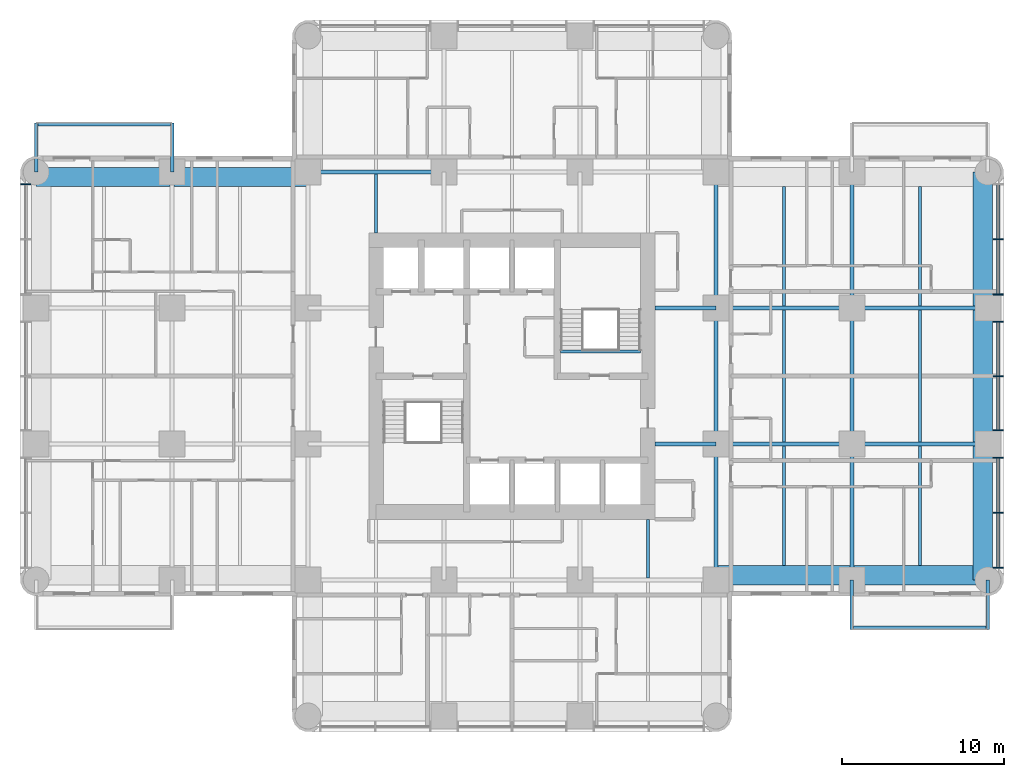
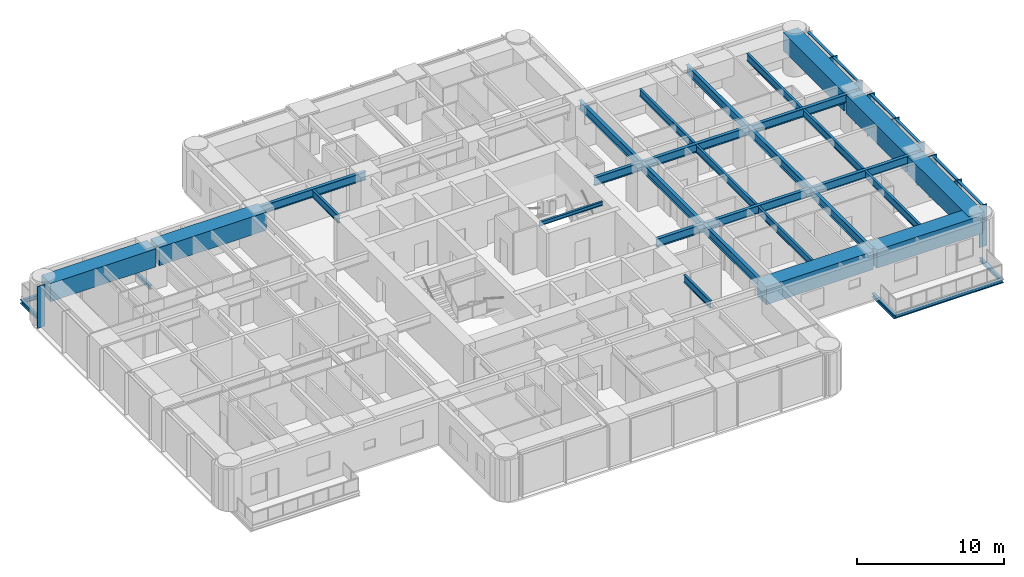
# One storey, part 3 of 14: 35 beams, 15 members, 2 elements without a shape of their own.
"""IFC4 building model written with IfcOpenShell, lengths in metres."""

from ifc_helpers import new_model, si_unit, direction, frame, origin, origin_2d, place, context, subcontext, project, spatial, rectangle, i_section, extrude, material, material_profile, profile_set, type_object, element, aggregate, save


model = new_model("IFC4")

# Units and contexts
model_context = context("Model", 3, precision=1e-05, world=origin(), true_north=direction((0.0, 1.0)))
body_context = subcontext(model_context, "Body", "Model", "MODEL_VIEW")
ifc_project = project(units=[si_unit("LENGTHUNIT", "METRE"), si_unit("AREAUNIT", "SQUARE_METRE"), si_unit("VOLUMEUNIT", "CUBIC_METRE"), si_unit("PLANEANGLEUNIT", "RADIAN"), si_unit("MASSUNIT", "GRAM", prefix="KILO")], contexts=[model_context])

# Site, building, storey
site_placement = place(None, origin())
site = spatial("IfcSite", under=ifc_project, at=site_placement, CompositionType="ELEMENT")
building_placement = place(site_placement, origin())
building = spatial("IfcBuilding", under=site, at=building_placement, Name="Torre Alcanfor", CompositionType="ELEMENT")
storey_placement = place(building_placement, frame((0.0, 0.0, 162.89990234375)))
storey = spatial("IfcBuildingStorey", under=building, at=storey_placement, Name="L42", CompositionType="ELEMENT", Elevation=162.89990234375)

# Beams
ifc_material_1 = material(Name="Steel ASTM A992 Grade 50", Category="steel")
ifc_material_profile_1 = material_profile(ifc_material_1, i_section(OverallWidth=0.205322265625, OverallDepth=0.309814453125, WebThickness=0.00927734375, FlangeThickness=0.016357421875, at=origin_2d()), Name="W12x50")
ifc_profile_set_1 = profile_set([ifc_material_profile_1], Name="Steel ASTM A992 Grade 50")
beam_type_1 = type_object("IfcBeamType", Name="Balcony cantilever beam W12x50", PredefinedType="BEAM", material=ifc_profile_set_1)
for number, where, z_axis, x_axis, name in (
    (1, (50.39990234375, 16.800048828125, -0.354736328125), (0.0, -1.0, 0.0), (1.0, 0.0, 0.0), "Balcony cantilever beam L42-E2 1"),
    (2, (58.800048828125, 16.800048828125, -0.354736328125), (0.0, -1.0, 0.0), (1.0, 0.0, 0.0), "Balcony cantilever beam L42-E2 2"),
    (3, (8.39990234375, 42.0, -0.354736328125), (0.0, 1.0, 0.0), (-1.0, 0.0, 0.0), "Balcony cantilever beam L42-W2 1"),
    (4, (0.0, 42.0, -0.354736328125), (0.0, 1.0, 0.0), (-1.0, 0.0, 0.0), "Balcony cantilever beam L42-W2 2"),
):
    element("IfcBeam", number, at=place(storey_placement, frame(where, z_axis=z_axis, x_axis=x_axis)), inside=storey, type_object=beam_type_1, Name=name, PredefinedType="BEAM", context=body_context, shape_type="SweptSolid", body=[
        extrude(i_section(OverallWidth=0.205322265625, OverallDepth=0.309814453125, WebThickness=0.00927734375, FlangeThickness=0.016357421875, at=origin_2d()), origin(), (0.0, 0.0, 1.0), 3.050048828125),
    ])
ifc_material_2 = material(Name="Steel ASTM A992 Grade 50", Category="steel")
ifc_material_profile_2 = material_profile(ifc_material_2, i_section(OverallWidth=0.203369140625, OverallDepth=0.30224609375, WebThickness=0.007568359375, FlangeThickness=0.01318359375, at=origin_2d()), Name="W12x40")
ifc_profile_set_2 = profile_set([ifc_material_profile_2], Name="Steel ASTM A992 Grade 50")
beam_type_2 = type_object("IfcBeamType", Name="Balcony edge trimmer W12x40", PredefinedType="BEAM", material=ifc_profile_set_2)
beam_1_placement = place(storey_placement, frame((50.39990234375, 13.851806640625, -0.35107421875), z_axis=(1.0, 0.0, 0.0), x_axis=(0.0, 1.0, 0.0)))
element("IfcBeam", 5, at=beam_1_placement, inside=storey, type_object=beam_type_2, Name="Balcony edge trimmer L42-E2", PredefinedType="BEAM", context=body_context, shape_type="SweptSolid", body=[
    extrude(i_section(OverallWidth=0.203369140625, OverallDepth=0.30224609375, WebThickness=0.007568359375, FlangeThickness=0.01318359375, at=origin_2d()), origin(), (0.0, 0.0, 1.0), 8.400146484375),
])
beam_2_placement = place(storey_placement, frame((8.39990234375, 44.9482421875, -0.35107421875), z_axis=(-1.0, 0.0, 0.0), x_axis=(0.0, -1.0, 0.0)))
element("IfcBeam", 6, at=beam_2_placement, inside=storey, type_object=beam_type_2, Name="Balcony edge trimmer L42-W2", PredefinedType="BEAM", context=body_context, shape_type="SweptSolid", body=[
    extrude(i_section(OverallWidth=0.203369140625, OverallDepth=0.30224609375, WebThickness=0.007568359375, FlangeThickness=0.01318359375, at=origin_2d()), origin(), (0.0, 0.0, 1.0), 8.39990234375),
])

# Curtain wall, member
ifc_material_3 = material(Name="Aluminium and glass", Category="aluminium")
curtain_wall_type = type_object("IfcCurtainWallType", Name="CW-A unitised apartment glazing with vertical FIN", PredefinedType="NOTDEFINED", material=ifc_material_3)
curtain_wall_1_placement = place(storey_placement, origin())
curtain_wall_1 = element("IfcCurtainWall", 7, at=curtain_wall_1_placement, inside=storey, type_object=curtain_wall_type, Name="Curtain wall CW-A L42 2", PredefinedType="NOTDEFINED")
ifc_material_4 = material(Name="Bronze anodised aluminium", Category="aluminium")
ifc_material_profile_3 = material_profile(ifc_material_4, rectangle(XDim=0.60009765625, YDim=0.06494140625, at=origin_2d()), Name="CW-A mullion 65x600")
ifc_profile_set_3 = profile_set([ifc_material_profile_3], Name="Bronze anodised aluminium")
member_type_1 = type_object("IfcMemberType", Name="CW-A mullion with vertical FIN 65x600", PredefinedType="MULLION", material=ifc_profile_set_3)
member_1_placement = place(storey_placement, frame((-0.64990234375, 41.24267578125, 0.0), z_axis=(0.0, 0.0, 1.0), x_axis=(1.0, 0.0, 0.0)))
member_1 = element("IfcMember", 8, at=member_1_placement, type_object=member_type_1, Name="CW-A mullion 1.1", PredefinedType="MULLION", context=body_context, shape_type="SweptSolid", body=[
    extrude(rectangle(XDim=0.60009765625, YDim=0.06494140625, at=origin_2d()), origin(), (0.0, 0.0, 1.0), 3.4501953125),
])
aggregate(curtain_wall_1, [member_1])

# Curtain wall, members
curtain_wall_2_placement = place(storey_placement, origin())
curtain_wall_2 = element("IfcCurtainWall", 9, at=curtain_wall_2_placement, inside=storey, type_object=curtain_wall_type, Name="Curtain wall CW-A L42 8", PredefinedType="NOTDEFINED")
member_2_placement = place(storey_placement, frame((59.449951171875, 17.557373046875, 0.0), z_axis=(0.0, 0.0, 1.0), x_axis=(-1.0, 0.0, 0.0)))
member_2 = element("IfcMember", 10, at=member_2_placement, type_object=member_type_1, Name="CW-A mullion 1.1", PredefinedType="MULLION", context=body_context, shape_type="SweptSolid", body=[
    extrude(rectangle(XDim=0.60009765625, YDim=0.06494140625, at=origin_2d()), origin(), (0.0, 0.0, 1.0), 3.4501953125),
])
member_3_placement = place(storey_placement, frame((59.449951171875, 20.9599609375, 0.0), z_axis=(0.0, 0.0, 1.0), x_axis=(-1.0, 0.0, 0.0)))
member_3 = element("IfcMember", 11, at=member_3_placement, type_object=member_type_1, Name="CW-A mullion 1.2", PredefinedType="MULLION", context=body_context, shape_type="SweptSolid", body=[
    extrude(rectangle(XDim=0.60009765625, YDim=0.06494140625, at=origin_2d()), origin(), (0.0, 0.0, 1.0), 3.4501953125),
])
member_4_placement = place(storey_placement, frame((59.449951171875, 24.362548828125, 0.0), z_axis=(0.0, 0.0, 1.0), x_axis=(-1.0, 0.0, 0.0)))
member_4 = element("IfcMember", 12, at=member_4_placement, type_object=member_type_1, Name="CW-A mullion 1.3", PredefinedType="MULLION", context=body_context, shape_type="SweptSolid", body=[
    extrude(rectangle(XDim=0.60009765625, YDim=0.06494140625, at=origin_2d()), origin(), (0.0, 0.0, 1.0), 3.4501953125),
])
member_5_placement = place(storey_placement, frame((59.449951171875, 26.03759765625, 0.0), z_axis=(0.0, 0.0, 1.0), x_axis=(-1.0, 0.0, 0.0)))
member_5 = element("IfcMember", 13, at=member_5_placement, type_object=member_type_1, Name="CW-A mullion 2.1", PredefinedType="MULLION", context=body_context, shape_type="SweptSolid", body=[
    extrude(rectangle(XDim=0.60009765625, YDim=0.06494140625, at=origin_2d()), origin(), (0.0, 0.0, 1.0), 3.4501953125),
])
member_6_placement = place(storey_placement, frame((59.449951171875, 29.39990234375, 0.0), z_axis=(0.0, 0.0, 1.0), x_axis=(-1.0, 0.0, 0.0)))
member_6 = element("IfcMember", 14, at=member_6_placement, type_object=member_type_1, Name="CW-A mullion 2.2", PredefinedType="MULLION", context=body_context, shape_type="SweptSolid", body=[
    extrude(rectangle(XDim=0.60009765625, YDim=0.06494140625, at=origin_2d()), origin(), (0.0, 0.0, 1.0), 3.4501953125),
])
member_7_placement = place(storey_placement, frame((59.449951171875, 32.762451171875, 0.0), z_axis=(0.0, 0.0, 1.0), x_axis=(-1.0, 0.0, 0.0)))
member_7 = element("IfcMember", 15, at=member_7_placement, type_object=member_type_1, Name="CW-A mullion 2.3", PredefinedType="MULLION", context=body_context, shape_type="SweptSolid", body=[
    extrude(rectangle(XDim=0.60009765625, YDim=0.06494140625, at=origin_2d()), origin(), (0.0, 0.0, 1.0), 3.4501953125),
])
member_8_placement = place(storey_placement, frame((59.449951171875, 34.4375, 0.0), z_axis=(0.0, 0.0, 1.0), x_axis=(-1.0, 0.0, 0.0)))
member_8 = element("IfcMember", 16, at=member_8_placement, type_object=member_type_1, Name="CW-A mullion 3.1", PredefinedType="MULLION", context=body_context, shape_type="SweptSolid", body=[
    extrude(rectangle(XDim=0.60009765625, YDim=0.06494140625, at=origin_2d()), origin(), (0.0, 0.0, 1.0), 3.4501953125),
])
member_9_placement = place(storey_placement, frame((59.449951171875, 37.840087890625, 0.0), z_axis=(0.0, 0.0, 1.0), x_axis=(-1.0, 0.0, 0.0)))
member_9 = element("IfcMember", 17, at=member_9_placement, type_object=member_type_1, Name="CW-A mullion 3.2", PredefinedType="MULLION", context=body_context, shape_type="SweptSolid", body=[
    extrude(rectangle(XDim=0.60009765625, YDim=0.06494140625, at=origin_2d()), origin(), (0.0, 0.0, 1.0), 3.4501953125),
])
ifc_material_5 = material(Name="Extruded aluminium", Category="aluminium")
ifc_material_profile_4 = material_profile(ifc_material_5, rectangle(XDim=0.199951171875, YDim=0.06494140625, at=origin_2d()), Name="CW-A transom 200x65")
ifc_profile_set_4 = profile_set([ifc_material_profile_4], Name="Extruded aluminium")
member_type_2 = type_object("IfcMemberType", Name="CW-A transom 65x200", PredefinedType="USERDEFINED", material=ifc_profile_set_4)
member_10_placement = place(storey_placement, frame((59.449951171875, 17.58984375, 3.41748046875), z_axis=(0.0, 1.0, 0.0), x_axis=(-1.0, 0.0, 0.0)))
member_10 = element("IfcMember", 18, at=member_10_placement, type_object=member_type_2, Name="CW-A transom 1.1.2", ObjectType="TRANSOM", PredefinedType="USERDEFINED", context=body_context, shape_type="SweptSolid", body=[
    extrude(rectangle(XDim=0.199951171875, YDim=0.06494140625, at=origin_2d()), origin(), (0.0, 0.0, 1.0), 3.337646484375),
])
member_11_placement = place(storey_placement, frame((59.449951171875, 20.992431640625, 3.41748046875), z_axis=(0.0, 1.0, 0.0), x_axis=(-1.0, 0.0, 0.0)))
member_11 = element("IfcMember", 19, at=member_11_placement, type_object=member_type_2, Name="CW-A transom 1.2.2", ObjectType="TRANSOM", PredefinedType="USERDEFINED", context=body_context, shape_type="SweptSolid", body=[
    extrude(rectangle(XDim=0.199951171875, YDim=0.06494140625, at=origin_2d()), origin(), (0.0, 0.0, 1.0), 3.337646484375),
])
member_12_placement = place(storey_placement, frame((59.449951171875, 26.070068359375, 3.41748046875), z_axis=(0.0, 1.0, 0.0), x_axis=(-1.0, 0.0, 0.0)))
member_12 = element("IfcMember", 20, at=member_12_placement, type_object=member_type_2, Name="CW-A transom 2.1.2", ObjectType="TRANSOM", PredefinedType="USERDEFINED", context=body_context, shape_type="SweptSolid", body=[
    extrude(rectangle(XDim=0.199951171875, YDim=0.06494140625, at=origin_2d()), origin(), (0.0, 0.0, 1.0), 3.29736328125),
])
member_13_placement = place(storey_placement, frame((59.449951171875, 29.4326171875, 3.41748046875), z_axis=(0.0, 1.0, 0.0), x_axis=(-1.0, 0.0, 0.0)))
member_13 = element("IfcMember", 21, at=member_13_placement, type_object=member_type_2, Name="CW-A transom 2.2.2", ObjectType="TRANSOM", PredefinedType="USERDEFINED", context=body_context, shape_type="SweptSolid", body=[
    extrude(rectangle(XDim=0.199951171875, YDim=0.06494140625, at=origin_2d()), origin(), (0.0, 0.0, 1.0), 3.29736328125),
])
member_14_placement = place(storey_placement, frame((59.449951171875, 34.469970703125, 3.41748046875), z_axis=(0.0, 1.0, 0.0), x_axis=(-1.0, 0.0, 0.0)))
member_14 = element("IfcMember", 22, at=member_14_placement, type_object=member_type_2, Name="CW-A transom 3.1.2", ObjectType="TRANSOM", PredefinedType="USERDEFINED", context=body_context, shape_type="SweptSolid", body=[
    extrude(rectangle(XDim=0.199951171875, YDim=0.06494140625, at=origin_2d()), origin(), (0.0, 0.0, 1.0), 3.337646484375),
])
member_15_placement = place(storey_placement, frame((59.449951171875, 37.87255859375, 3.41748046875), z_axis=(0.0, 1.0, 0.0), x_axis=(-1.0, 0.0, 0.0)))
member_15 = element("IfcMember", 23, at=member_15_placement, type_object=member_type_2, Name="CW-A transom 3.2.2", ObjectType="TRANSOM", PredefinedType="USERDEFINED", context=body_context, shape_type="SweptSolid", body=[
    extrude(rectangle(XDim=0.199951171875, YDim=0.06494140625, at=origin_2d()), origin(), (0.0, 0.0, 1.0), 3.337646484375),
])
aggregate(curtain_wall_2, [member_2, member_3, member_4, member_10, member_11, member_5, member_6, member_7, member_12, member_13, member_8, member_9, member_14, member_15])

# Beams
ifc_material_6 = material(Name="Steel ASTM A992 Grade 50", Category="steel")
ifc_material_profile_5 = material_profile(ifc_material_6, i_section(OverallWidth=0.25390625, OverallDepth=0.683349609375, WebThickness=0.012451171875, FlangeThickness=0.01904296875, at=origin_2d()), Name="W27x94")
ifc_profile_set_5 = profile_set([ifc_material_profile_5], Name="Steel ASTM A992 Grade 50")
beam_type_3 = type_object("IfcBeamType", Name="Girder W27x94", PredefinedType="BEAM", material=ifc_profile_set_5)
beam_3_placement = place(storey_placement, frame((42.0, 25.199951171875, 3.1083984375), z_axis=(1.0, 0.0, 0.0), x_axis=(0.0, 1.0, 0.0)))
element("IfcBeam", 24, at=beam_3_placement, inside=storey, type_object=beam_type_3, Name="Beam 6F-7F under L43", PredefinedType="BEAM", context=body_context, shape_type="SweptSolid", body=[
    extrude(i_section(OverallWidth=0.25390625, OverallDepth=0.683349609375, WebThickness=0.012451171875, FlangeThickness=0.01904296875, at=origin_2d()), origin(), (0.0, 0.0, 1.0), 8.39990234375),
])
beam_4_placement = place(storey_placement, frame((50.39990234375, 25.199951171875, 3.1083984375), z_axis=(1.0, 0.0, 0.0), x_axis=(0.0, 1.0, 0.0)))
element("IfcBeam", 25, at=beam_4_placement, inside=storey, type_object=beam_type_3, Name="Beam 7F-8F under L43", PredefinedType="BEAM", context=body_context, shape_type="SweptSolid", body=[
    extrude(i_section(OverallWidth=0.25390625, OverallDepth=0.683349609375, WebThickness=0.012451171875, FlangeThickness=0.01904296875, at=origin_2d()), origin(), (0.0, 0.0, 1.0), 8.400146484375),
])
beam_5_placement = place(storey_placement, frame((42.0, 33.60009765625, 3.1083984375), z_axis=(1.0, 0.0, 0.0), x_axis=(0.0, 1.0, 0.0)))
element("IfcBeam", 26, at=beam_5_placement, inside=storey, type_object=beam_type_3, Name="Beam 6G-7G under L43", PredefinedType="BEAM", context=body_context, shape_type="SweptSolid", body=[
    extrude(i_section(OverallWidth=0.25390625, OverallDepth=0.683349609375, WebThickness=0.012451171875, FlangeThickness=0.01904296875, at=origin_2d()), origin(), (0.0, 0.0, 1.0), 8.39990234375),
])
beam_6_placement = place(storey_placement, frame((50.39990234375, 33.60009765625, 3.1083984375), z_axis=(1.0, 0.0, 0.0), x_axis=(0.0, 1.0, 0.0)))
element("IfcBeam", 27, at=beam_6_placement, inside=storey, type_object=beam_type_3, Name="Beam 7G-8G under L43", PredefinedType="BEAM", context=body_context, shape_type="SweptSolid", body=[
    extrude(i_section(OverallWidth=0.25390625, OverallDepth=0.683349609375, WebThickness=0.012451171875, FlangeThickness=0.01904296875, at=origin_2d()), origin(), (0.0, 0.0, 1.0), 8.400146484375),
])
for number, where, z_axis, x_axis, name in (
    (28, (16.800048828125, 42.0, 3.1083984375), (1.0, 0.0, 0.0), (0.0, 1.0, 0.0), "Beam 3H-4H under L43"),
    (29, (42.0, 16.800048828125, 3.1083984375), (0.0, 1.0, 0.0), (-1.0, 0.0, 0.0), "Beam 6E-6F under L43"),
):
    element("IfcBeam", number, at=place(storey_placement, frame(where, z_axis=z_axis, x_axis=x_axis)), inside=storey, type_object=beam_type_3, Name=name, PredefinedType="BEAM", context=body_context, shape_type="SweptSolid", body=[
        extrude(i_section(OverallWidth=0.25390625, OverallDepth=0.683349609375, WebThickness=0.012451171875, FlangeThickness=0.01904296875, at=origin_2d()), origin(), (0.0, 0.0, 1.0), 8.39990234375),
    ])
beam_7_placement = place(storey_placement, frame((42.0, 25.199951171875, 3.1083984375), z_axis=(0.0, 1.0, 0.0), x_axis=(-1.0, 0.0, 0.0)))
element("IfcBeam", 30, at=beam_7_placement, inside=storey, type_object=beam_type_3, Name="Beam 6F-6G under L43", PredefinedType="BEAM", context=body_context, shape_type="SweptSolid", body=[
    extrude(i_section(OverallWidth=0.25390625, OverallDepth=0.683349609375, WebThickness=0.012451171875, FlangeThickness=0.01904296875, at=origin_2d()), origin(), (0.0, 0.0, 1.0), 8.400146484375),
])
for number, where, z_axis, x_axis, name in (
    (31, (42.0, 33.60009765625, 3.1083984375), (0.0, 1.0, 0.0), (-1.0, 0.0, 0.0), "Beam 6G-6H under L43"),
    (32, (50.39990234375, 16.800048828125, 3.1083984375), (0.0, 1.0, 0.0), (-1.0, 0.0, 0.0), "Beam 7E-7F under L43"),
):
    element("IfcBeam", number, at=place(storey_placement, frame(where, z_axis=z_axis, x_axis=x_axis)), inside=storey, type_object=beam_type_3, Name=name, PredefinedType="BEAM", context=body_context, shape_type="SweptSolid", body=[
        extrude(i_section(OverallWidth=0.25390625, OverallDepth=0.683349609375, WebThickness=0.012451171875, FlangeThickness=0.01904296875, at=origin_2d()), origin(), (0.0, 0.0, 1.0), 8.39990234375),
    ])
beam_8_placement = place(storey_placement, frame((50.39990234375, 25.199951171875, 3.1083984375), z_axis=(0.0, 1.0, 0.0), x_axis=(-1.0, 0.0, 0.0)))
element("IfcBeam", 33, at=beam_8_placement, inside=storey, type_object=beam_type_3, Name="Beam 7F-7G under L43", PredefinedType="BEAM", context=body_context, shape_type="SweptSolid", body=[
    extrude(i_section(OverallWidth=0.25390625, OverallDepth=0.683349609375, WebThickness=0.012451171875, FlangeThickness=0.01904296875, at=origin_2d()), origin(), (0.0, 0.0, 1.0), 8.400146484375),
])
beam_9_placement = place(storey_placement, frame((50.39990234375, 33.60009765625, 3.1083984375), z_axis=(0.0, 1.0, 0.0), x_axis=(-1.0, 0.0, 0.0)))
element("IfcBeam", 34, at=beam_9_placement, inside=storey, type_object=beam_type_3, Name="Beam 7G-7H under L43", PredefinedType="BEAM", context=body_context, shape_type="SweptSolid", body=[
    extrude(i_section(OverallWidth=0.25390625, OverallDepth=0.683349609375, WebThickness=0.012451171875, FlangeThickness=0.01904296875, at=origin_2d()), origin(), (0.0, 0.0, 1.0), 8.39990234375),
])
ifc_material_7 = material(Name="Steel ASTM A992 Grade 50", Category="steel")
ifc_material_profile_6 = material_profile(ifc_material_7, i_section(OverallWidth=0.25390625, OverallDepth=0.683349609375, WebThickness=0.012451171875, FlangeThickness=0.01904296875, at=origin_2d()), Name="W27x94")
ifc_profile_set_6 = profile_set([ifc_material_profile_6], Name="Steel ASTM A992 Grade 50")
beam_type_4 = type_object("IfcBeamType", Name="Girder, part bay W27x94", PredefinedType="BEAM", material=ifc_profile_set_6)
for number, where, z_axis, x_axis, name in (
    (35, (42.0, 25.199951171875, 3.1083984375), (-1.0, 0.0, 0.0), (0.0, -1.0, 0.0), "Beam 6F-38_25F under L43"),
    (36, (42.0, 33.60009765625, 3.1083984375), (-1.0, 0.0, 0.0), (0.0, -1.0, 0.0), "Beam 6G-38_25G under L43"),
):
    element("IfcBeam", number, at=place(storey_placement, frame(where, z_axis=z_axis, x_axis=x_axis)), inside=storey, type_object=beam_type_4, Name=name, PredefinedType="BEAM", context=body_context, shape_type="SweptSolid", body=[
        extrude(i_section(OverallWidth=0.25390625, OverallDepth=0.683349609375, WebThickness=0.012451171875, FlangeThickness=0.01904296875, at=origin_2d()), origin(), (0.0, 0.0, 1.0), 3.75),
    ])
ifc_material_8 = material(Name="Concrete f'c 70 MPa", Category="concrete")
ifc_material_profile_7 = material_profile(ifc_material_8, rectangle(XDim=1.199951171875, YDim=1.5, at=origin_2d()), Name="1200x1500")
ifc_profile_set_7 = profile_set([ifc_material_profile_7], Name="Concrete f'c 70 MPa")
beam_type_5 = type_object("IfcBeamType", Name="RC perimeter beam 1200x1500", PredefinedType="BEAM", material=ifc_profile_set_7)
beam_10_placement = place(storey_placement, frame((41.873046875, 17.10009765625, 2.7001953125), z_axis=(1.0, 0.0, 0.0), x_axis=(0.0, 1.0, 0.0)))
element("IfcBeam", 37, at=beam_10_placement, inside=storey, type_object=beam_type_5, Name="Beam 6E-7E under L43", PredefinedType="BEAM", context=body_context, shape_type="SweptSolid", body=[
    extrude(rectangle(XDim=1.199951171875, YDim=1.5, at=origin_2d()), origin(), (0.0, 0.0, 1.0), 8.39990234375),
])
for number, where, z_axis, x_axis, name in (
    (38, (50.527099609375, 17.10009765625, 2.7001953125), (1.0, 0.0, 0.0), (0.0, 1.0, 0.0), "Beam 7E-8E under L43"),
    (39, (0.0, 41.699951171875, 2.7001953125), (1.0, 0.0, 0.0), (0.0, 1.0, 0.0), "Beam 1H-2H under L43"),
):
    element("IfcBeam", number, at=place(storey_placement, frame(where, z_axis=z_axis, x_axis=x_axis)), inside=storey, type_object=beam_type_5, Name=name, PredefinedType="BEAM", context=body_context, shape_type="SweptSolid", body=[
        extrude(rectangle(XDim=1.199951171875, YDim=1.5, at=origin_2d()), origin(), (0.0, 0.0, 1.0), 8.27294921875),
    ])
beam_11_placement = place(storey_placement, frame((8.527099609375, 41.699951171875, 2.7001953125), z_axis=(1.0, 0.0, 0.0), x_axis=(0.0, 1.0, 0.0)))
element("IfcBeam", 40, at=beam_11_placement, inside=storey, type_object=beam_type_5, Name="Beam 2H-3H under L43", PredefinedType="BEAM", context=body_context, shape_type="SweptSolid", body=[
    extrude(rectangle(XDim=1.199951171875, YDim=1.5, at=origin_2d()), origin(), (0.0, 0.0, 1.0), 8.39990234375),
])
beam_12_placement = place(storey_placement, frame((58.5, 16.800048828125, 2.7001953125), z_axis=(0.0, 1.0, 0.0), x_axis=(-1.0, 0.0, 0.0)))
element("IfcBeam", 41, at=beam_12_placement, inside=storey, type_object=beam_type_5, Name="Beam 8E-8F under L43", PredefinedType="BEAM", context=body_context, shape_type="SweptSolid", body=[
    extrude(rectangle(XDim=1.199951171875, YDim=1.5, at=origin_2d()), origin(), (0.0, 0.0, 1.0), 8.27294921875),
])
beam_13_placement = place(storey_placement, frame((58.5, 25.326904296875, 2.7001953125), z_axis=(0.0, 1.0, 0.0), x_axis=(-1.0, 0.0, 0.0)))
element("IfcBeam", 42, at=beam_13_placement, inside=storey, type_object=beam_type_5, Name="Beam 8F-8G under L43", PredefinedType="BEAM", context=body_context, shape_type="SweptSolid", body=[
    extrude(rectangle(XDim=1.199951171875, YDim=1.5, at=origin_2d()), origin(), (0.0, 0.0, 1.0), 8.14599609375),
])
beam_14_placement = place(storey_placement, frame((58.5, 33.72705078125, 2.7001953125), z_axis=(0.0, 1.0, 0.0), x_axis=(-1.0, 0.0, 0.0)))
element("IfcBeam", 43, at=beam_14_placement, inside=storey, type_object=beam_type_5, Name="Beam 8G-8H under L43", PredefinedType="BEAM", context=body_context, shape_type="SweptSolid", body=[
    extrude(rectangle(XDim=1.199951171875, YDim=1.5, at=origin_2d()), origin(), (0.0, 0.0, 1.0), 8.27294921875),
])
ifc_material_9 = material(Name="Steel ASTM A992 Grade 50", Category="steel")
ifc_material_profile_8 = material_profile(ifc_material_9, i_section(OverallWidth=0.1787109375, OverallDepth=0.60205078125, WebThickness=0.010986328125, FlangeThickness=0.014892578125, at=origin_2d()), Name="W24x62")
ifc_profile_set_8 = profile_set([ifc_material_profile_8], Name="Steel ASTM A992 Grade 50")
beam_type_6 = type_object("IfcBeamType", Name="Secondary beam W24x62", PredefinedType="BEAM", material=ifc_profile_set_8)
beam_15_placement = place(storey_placement, frame((46.199951171875, 17.699951171875, 3.149169921875), z_axis=(0.0, 1.0, 0.0), x_axis=(-1.0, 0.0, 0.0)))
element("IfcBeam", 44, at=beam_15_placement, inside=storey, type_object=beam_type_6, Name="Beam 46_2E-46_2F under L43", PredefinedType="BEAM", context=body_context, shape_type="SweptSolid", body=[
    extrude(i_section(OverallWidth=0.1787109375, OverallDepth=0.60205078125, WebThickness=0.010986328125, FlangeThickness=0.014892578125, at=origin_2d()), origin(), (0.0, 0.0, 1.0), 7.373046875),
])
beam_16_placement = place(storey_placement, frame((46.199951171875, 25.326904296875, 3.149169921875), z_axis=(0.0, 1.0, 0.0), x_axis=(-1.0, 0.0, 0.0)))
element("IfcBeam", 45, at=beam_16_placement, inside=storey, type_object=beam_type_6, Name="Beam 46_2F-46_2G under L43", PredefinedType="BEAM", context=body_context, shape_type="SweptSolid", body=[
    extrude(i_section(OverallWidth=0.1787109375, OverallDepth=0.60205078125, WebThickness=0.010986328125, FlangeThickness=0.014892578125, at=origin_2d()), origin(), (0.0, 0.0, 1.0), 8.14599609375),
])
for number, where, z_axis, x_axis, name in (
    (46, (46.199951171875, 33.72705078125, 3.149169921875), (0.0, 1.0, 0.0), (-1.0, 0.0, 0.0), "Beam 46_2G-46_2H under L43"),
    (47, (54.60009765625, 17.699951171875, 3.149169921875), (0.0, 1.0, 0.0), (-1.0, 0.0, 0.0), "Beam 54_6E-54_6F under L43"),
):
    element("IfcBeam", number, at=place(storey_placement, frame(where, z_axis=z_axis, x_axis=x_axis)), inside=storey, type_object=beam_type_6, Name=name, PredefinedType="BEAM", context=body_context, shape_type="SweptSolid", body=[
        extrude(i_section(OverallWidth=0.1787109375, OverallDepth=0.60205078125, WebThickness=0.010986328125, FlangeThickness=0.014892578125, at=origin_2d()), origin(), (0.0, 0.0, 1.0), 7.373046875),
    ])
beam_17_placement = place(storey_placement, frame((54.60009765625, 25.326904296875, 3.149169921875), z_axis=(0.0, 1.0, 0.0), x_axis=(-1.0, 0.0, 0.0)))
element("IfcBeam", 48, at=beam_17_placement, inside=storey, type_object=beam_type_6, Name="Beam 54_6F-54_6G under L43", PredefinedType="BEAM", context=body_context, shape_type="SweptSolid", body=[
    extrude(i_section(OverallWidth=0.1787109375, OverallDepth=0.60205078125, WebThickness=0.010986328125, FlangeThickness=0.014892578125, at=origin_2d()), origin(), (0.0, 0.0, 1.0), 8.14599609375),
])
beam_18_placement = place(storey_placement, frame((54.60009765625, 33.72705078125, 3.149169921875), z_axis=(0.0, 1.0, 0.0), x_axis=(-1.0, 0.0, 0.0)))
element("IfcBeam", 49, at=beam_18_placement, inside=storey, type_object=beam_type_6, Name="Beam 54_6G-54_6H under L43", PredefinedType="BEAM", context=body_context, shape_type="SweptSolid", body=[
    extrude(i_section(OverallWidth=0.1787109375, OverallDepth=0.60205078125, WebThickness=0.010986328125, FlangeThickness=0.014892578125, at=origin_2d()), origin(), (0.0, 0.0, 1.0), 7.373046875),
])
ifc_material_10 = material(Name="Steel ASTM A992 Grade 50", Category="steel")
ifc_material_profile_9 = material_profile(ifc_material_10, i_section(OverallWidth=0.1787109375, OverallDepth=0.60205078125, WebThickness=0.010986328125, FlangeThickness=0.014892578125, at=origin_2d()), Name="W24x62")
ifc_profile_set_9 = profile_set([ifc_material_profile_9], Name="Steel ASTM A992 Grade 50")
beam_type_7 = type_object("IfcBeamType", Name="Secondary beam, part bay W24x62", PredefinedType="BEAM", material=ifc_profile_set_9)
for number, where, z_axis, x_axis, name in (
    (50, (21.0, 38.25, 3.149169921875), (0.0, 1.0, 0.0), (-1.0, 0.0, 0.0), "Beam 2138_25-21H under L43"),
    (51, (37.800048828125, 16.927001953125, 3.149169921875), (0.0, 1.0, 0.0), (-1.0, 0.0, 0.0), "Beam 37_8E-37_820_55 under L43"),
):
    element("IfcBeam", number, at=place(storey_placement, frame(where, z_axis=z_axis, x_axis=x_axis)), inside=storey, type_object=beam_type_7, Name=name, PredefinedType="BEAM", context=body_context, shape_type="SweptSolid", body=[
        extrude(i_section(OverallWidth=0.1787109375, OverallDepth=0.60205078125, WebThickness=0.010986328125, FlangeThickness=0.014892578125, at=origin_2d()), origin(), (0.0, 0.0, 1.0), 3.623046875),
    ])
ifc_material_11 = material(Name="Steel ASTM A992 Grade 50", Category="steel")
ifc_material_profile_10 = material_profile(ifc_material_11, i_section(OverallWidth=0.164794921875, OverallDepth=0.309814453125, WebThickness=0.005859375, FlangeThickness=0.009765625, at=origin_2d()), Name="W12x26")
ifc_profile_set_10 = profile_set([ifc_material_profile_10], Name="Steel ASTM A992 Grade 50")
beam_type_8 = type_object("IfcBeamType", Name="Stair landing beam W12x26", PredefinedType="BEAM", material=ifc_profile_set_10)
beam_19_placement = place(storey_placement, frame((32.39990234375, 30.91259765625, 3.2451171875), z_axis=(1.0, 0.0, 0.0), x_axis=(0.0, 1.0, 0.0)))
element("IfcBeam", 52, at=beam_19_placement, inside=storey, type_object=beam_type_8, Name="Landing trimmer S2 L43", PredefinedType="BEAM", context=body_context, shape_type="SweptSolid", body=[
    extrude(i_section(OverallWidth=0.164794921875, OverallDepth=0.309814453125, WebThickness=0.005859375, FlangeThickness=0.009765625, at=origin_2d()), origin(), (0.0, 0.0, 1.0), 4.9501953125),
])

save(model, "model.ifc")
